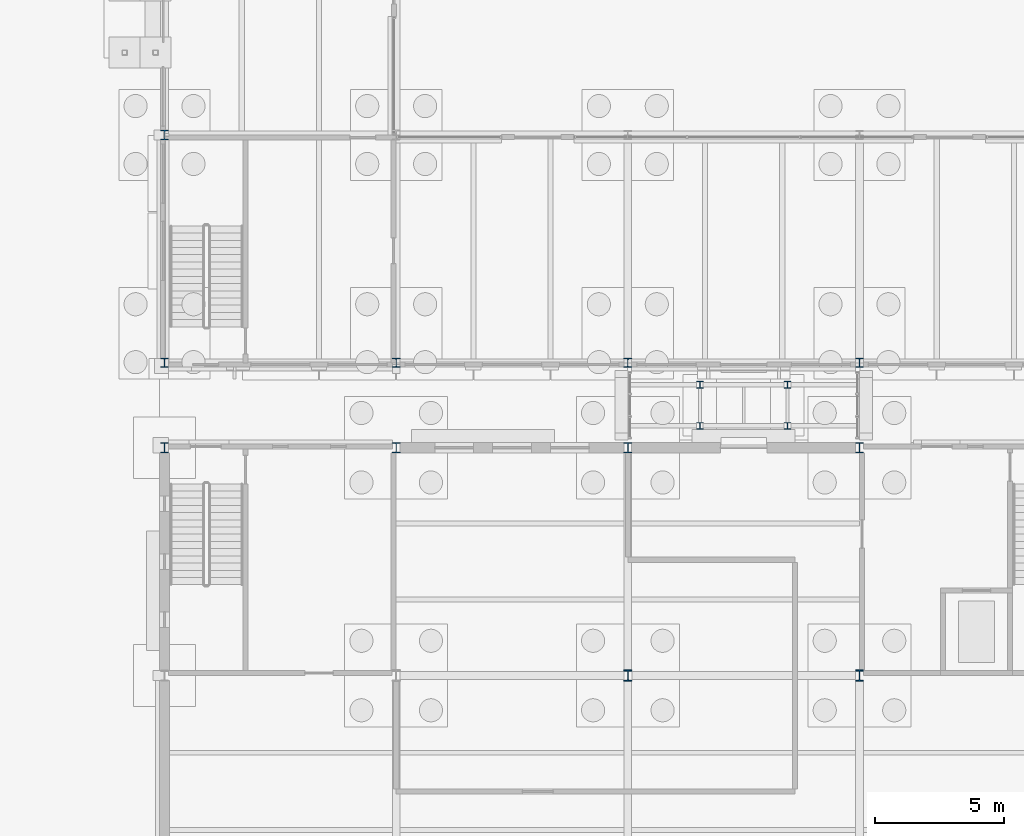
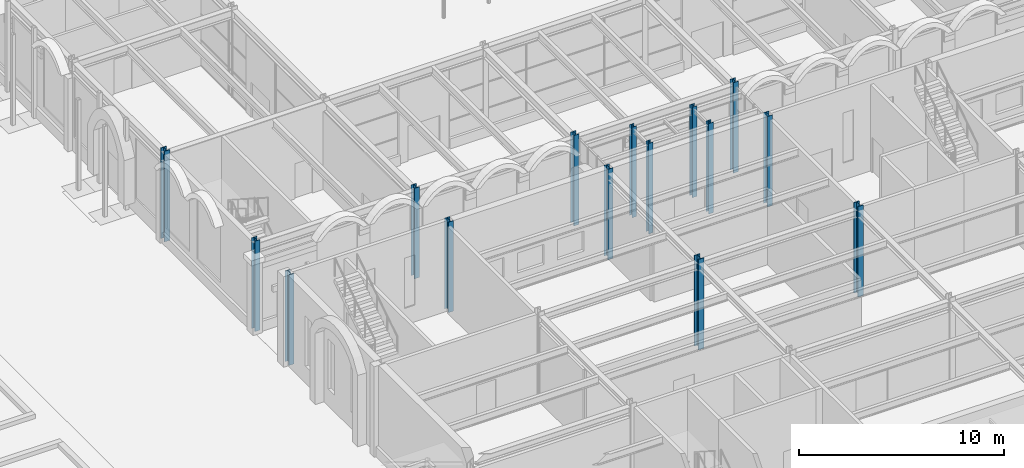
# One storey, part 11 of 126: 15 columns.
"""IFC4 building model written with IfcOpenShell, lengths in metres."""

from ifc_helpers import new_model, si_unit, direction, frame, origin, origin_2d, place, context, subcontext, project, spatial, i_section, extrude, material, material_profile, profile_set, type_object, element, save


model = new_model("IFC4")

# Units and contexts
model_context = context("Model", 3, precision=1e-05, world=origin(), true_north=direction((0.0, 1.0)))
body_context = subcontext(model_context, "Body", "Model", "MODEL_VIEW")
ifc_project = project(units=[si_unit("LENGTHUNIT", "METRE"), si_unit("AREAUNIT", "SQUARE_METRE"), si_unit("VOLUMEUNIT", "CUBIC_METRE"), si_unit("PLANEANGLEUNIT", "RADIAN"), si_unit("MASSUNIT", "GRAM", prefix="KILO")], contexts=[model_context])

# Site, building, storey
site_placement = place(None, origin())
site = spatial("IfcSite", under=ifc_project, at=site_placement, CompositionType="ELEMENT")
building_placement = place(site_placement, origin())
building = spatial("IfcBuilding", under=site, at=building_placement, Name="Kallimachos Central Library", CompositionType="ELEMENT")
storey_placement = place(building_placement, origin())
storey = spatial("IfcBuildingStorey", under=building, at=storey_placement, Name="L00", CompositionType="ELEMENT", Elevation=0.0)

# Columns
ifc_material_1 = material(Name="Steel S355J2", Category="steel")
ifc_material_profile_1 = material_profile(ifc_material_1, i_section(OverallWidth=0.260009765625, OverallDepth=0.260009765625, WebThickness=0.010009765625, FlangeThickness=0.017578125, FilletRadius=0.02392578125, at=origin_2d()), Name="HEB 260")
ifc_profile_set_1 = profile_set([ifc_material_profile_1], Name="Steel S355J2")
column_type_1 = type_object("IfcColumnType", Name="HEB 260 column", PredefinedType="COLUMN", material=ifc_profile_set_1)
for number, where, z_axis, x_axis, name in (
    (1, (86.300048828125, 45.699951171875, 0.0), (0.0, 0.0, 1.0), (1.0, 0.0, 0.0), "Stacks Link column"),
    (2, (86.300048828125, 47.300048828125, 0.0), (0.0, 0.0, 1.0), (1.0, 0.0, 0.0), "Stacks Link column"),
    (3, (89.699951171875, 45.699951171875, 0.0), (0.0, 0.0, 1.0), (1.0, 0.0, 0.0), "Stacks Link column"),
    (4, (89.699951171875, 47.300048828125, 0.0), (0.0, 0.0, 1.0), (1.0, 0.0, 0.0), "Stacks Link column"),
):
    element("IfcColumn", number, at=place(storey_placement, frame(where, z_axis=z_axis, x_axis=x_axis)), inside=storey, type_object=column_type_1, Name=name, PredefinedType="COLUMN", context=body_context, shape_type="SweptSolid", body=[
        extrude(i_section(OverallWidth=0.260009765625, OverallDepth=0.260009765625, WebThickness=0.010009765625, FlangeThickness=0.017578125, FilletRadius=0.02392578125, at=origin_2d()), origin(), (0.0, 0.0, 1.0), 5.39990234375),
    ])
ifc_material_2 = material(Name="Steel S355J2", Category="steel")
ifc_material_profile_2 = material_profile(ifc_material_2, i_section(OverallWidth=0.300048828125, OverallDepth=0.340087890625, WebThickness=0.011962890625, FlangeThickness=0.021484375, FilletRadius=0.027099609375, at=origin_2d()), Name="HEB 340")
ifc_profile_set_2 = profile_set([ifc_material_profile_2], Name="Steel S355J2")
column_type_2 = type_object("IfcColumnType", Name="HEB 340 column", PredefinedType="COLUMN", material=ifc_profile_set_2)
for number, where, z_axis, x_axis, name in (
    (5, (65.5, 48.14990234375, 0.0), (0.0, 0.0, 1.0), (1.0, 0.0, 0.0), "V4-COL-L00-006"),
    (6, (74.5, 48.14990234375, 0.0), (0.0, 0.0, 1.0), (1.0, 0.0, 0.0), "V4-COL-L00-007"),
    (7, (83.5, 48.14990234375, 0.0), (0.0, 0.0, 1.0), (1.0, 0.0, 0.0), "V4-COL-L00-008"),
    (8, (92.5, 48.14990234375, 0.0), (0.0, 0.0, 1.0), (1.0, 0.0, 0.0), "V4-COL-L00-009"),
):
    element("IfcColumn", number, at=place(storey_placement, frame(where, z_axis=z_axis, x_axis=x_axis)), inside=storey, type_object=column_type_2, Name=name, PredefinedType="COLUMN", context=body_context, shape_type="SweptSolid", body=[
        extrude(i_section(OverallWidth=0.300048828125, OverallDepth=0.340087890625, WebThickness=0.011962890625, FlangeThickness=0.021484375, FilletRadius=0.027099609375, at=origin_2d()), origin(), (0.0, 0.0, 1.0), 5.39990234375),
    ])
ifc_material_3 = material(Name="Steel S355J2", Category="steel")
ifc_material_profile_3 = material_profile(ifc_material_3, i_section(OverallWidth=0.300048828125, OverallDepth=0.39990234375, WebThickness=0.013427734375, FlangeThickness=0.02392578125, FilletRadius=0.027099609375, at=origin_2d()), Name="HEB 400")
ifc_profile_set_3 = profile_set([ifc_material_profile_3], Name="Steel S355J2")
column_type_3 = type_object("IfcColumnType", Name="HEB 400 column", PredefinedType="COLUMN", material=ifc_profile_set_3)
for number, where, z_axis, x_axis, name in (
    (9, (65.5, 44.85009765625, 0.0), (0.0, 0.0, 1.0), (1.0, 0.0, 0.0), "V5-COL-L00-019"),
    (10, (74.5, 44.85009765625, 0.0), (0.0, 0.0, 1.0), (1.0, 0.0, 0.0), "V5-COL-L00-020"),
    (11, (83.5, 44.85009765625, 0.0), (0.0, 0.0, 1.0), (1.0, 0.0, 0.0), "V5-COL-L00-021"),
    (12, (92.5, 44.85009765625, 0.0), (0.0, 0.0, 1.0), (1.0, 0.0, 0.0), "V5-COL-L00-022"),
):
    element("IfcColumn", number, at=place(storey_placement, frame(where, z_axis=z_axis, x_axis=x_axis)), inside=storey, type_object=column_type_3, Name=name, PredefinedType="COLUMN", context=body_context, shape_type="SweptSolid", body=[
        extrude(i_section(OverallWidth=0.300048828125, OverallDepth=0.39990234375, WebThickness=0.013427734375, FlangeThickness=0.02392578125, FilletRadius=0.027099609375, at=origin_2d()), origin(), (0.0, 0.0, 1.0), 5.39990234375),
    ])
ifc_material_4 = material(Name="Steel S355J2", Category="steel")
ifc_material_profile_4 = material_profile(ifc_material_4, i_section(OverallWidth=0.30908203125, OverallDepth=0.376953125, WebThickness=0.02099609375, FlangeThickness=0.0400390625, FilletRadius=0.027099609375, at=origin_2d()), Name="HEM 340")
ifc_profile_set_4 = profile_set([ifc_material_profile_4], Name="Steel S355J2")
column_type_4 = type_object("IfcColumnType", Name="HEM 340 column", PredefinedType="COLUMN", material=ifc_profile_set_4)
column_placement = place(storey_placement, frame((65.5, 57.0, 0.0), z_axis=(0.0, 0.0, 1.0), x_axis=(1.0, 0.0, 0.0)))
element("IfcColumn", 13, at=column_placement, inside=storey, type_object=column_type_4, Name="V4-COL-L00-012", PredefinedType="COLUMN", context=body_context, shape_type="SweptSolid", body=[
    extrude(i_section(OverallWidth=0.30908203125, OverallDepth=0.376953125, WebThickness=0.02099609375, FlangeThickness=0.0400390625, FilletRadius=0.027099609375, at=origin_2d()), origin(), (0.0, 0.0, 1.0), 5.39990234375),
])
ifc_material_5 = material(Name="Steel S355J2", Category="steel")
ifc_material_profile_5 = material_profile(ifc_material_5, i_section(OverallWidth=0.306884765625, OverallDepth=0.431884765625, WebThickness=0.02099609375, FlangeThickness=0.0400390625, FilletRadius=0.027099609375, at=origin_2d()), Name="HEM 400")
ifc_profile_set_5 = profile_set([ifc_material_profile_5], Name="Steel S355J2")
column_type_5 = type_object("IfcColumnType", Name="HEM 400 column", PredefinedType="COLUMN", material=ifc_profile_set_5)
for number, where, z_axis, x_axis, name in (
    (14, (83.5, 36.0, 0.0), (0.0, 0.0, 1.0), (1.0, 0.0, 0.0), "V5-COL-L00-015"),
    (15, (92.5, 36.0, 0.0), (0.0, 0.0, 1.0), (1.0, 0.0, 0.0), "V5-COL-L00-016"),
):
    element("IfcColumn", number, at=place(storey_placement, frame(where, z_axis=z_axis, x_axis=x_axis)), inside=storey, type_object=column_type_5, Name=name, PredefinedType="COLUMN", context=body_context, shape_type="SweptSolid", body=[
        extrude(i_section(OverallWidth=0.306884765625, OverallDepth=0.431884765625, WebThickness=0.02099609375, FlangeThickness=0.0400390625, FilletRadius=0.027099609375, at=origin_2d()), origin(), (0.0, 0.0, 1.0), 5.39990234375),
    ])

save(model, "model.ifc")
